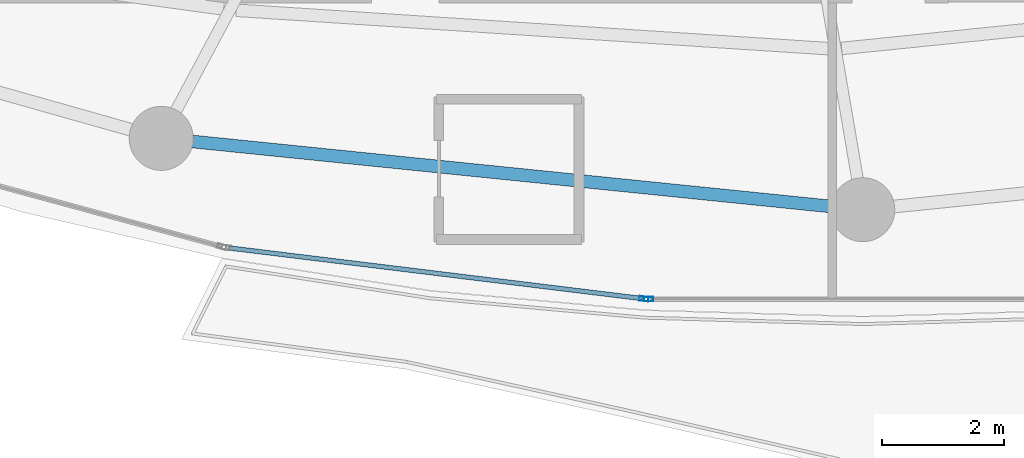
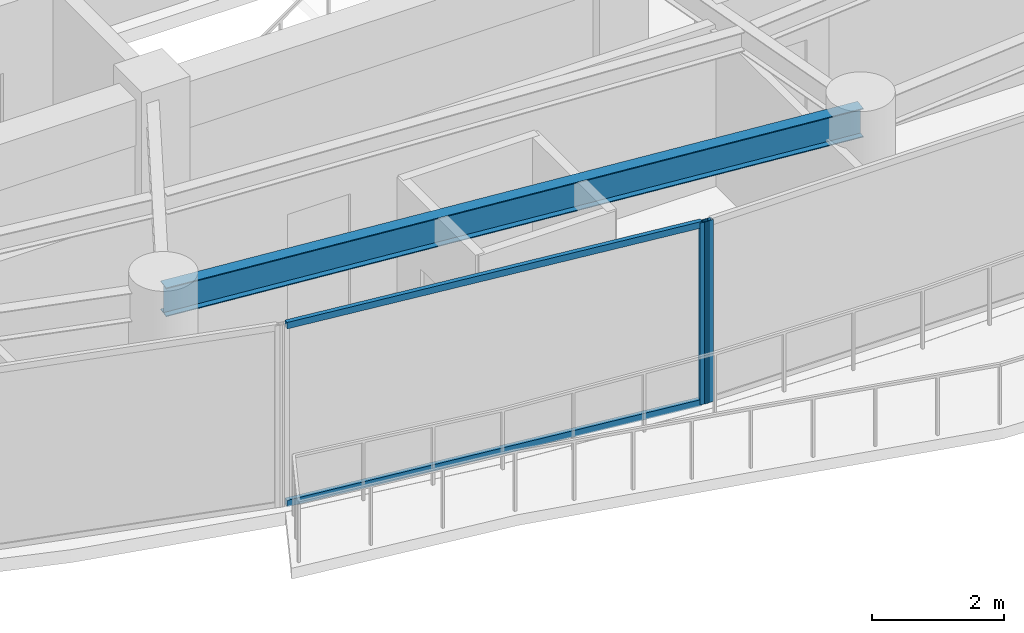
# One storey, part 6 of 31: 4 members, 1 beam, 2 elements without a shape of their own.
"""IFC4 building model written with IfcOpenShell, lengths in metres."""

import ifcopenshell
import ifcopenshell.guid

model = None  # the IFC model being written
_history = None  # IfcOwnerHistory: only IFC2X3 demands one
_inside = {}  # id of a spatial element -> (the spatial element, [elements in it])
_under = {}  # id of a project, library or spatial element -> (it, [spatial elements below it])
_declared = {}  # id of a project -> (the project, [libraries it declares])
_typed = {}  # id of a type object -> (the type object, [elements of that type])
_made_of = {}  # id of a material, layer set ... -> (it, [elements and type objects made of it])


def new_model(schema):
    """Start an empty IFC model of exactly this schema.

    Asked for "IFC4X3", IfcOpenShell would pick the latest addendum, in which some entities
    have other attributes; the version numbers below select the first issue.
    IFC2X3 requires an IfcOwnerHistory on every rooted entity: one is made here for all.
    """
    global model, _history
    if schema == "IFC4X3":
        model = ifcopenshell.file(schema_version=(4, 3, 0, 0))
    else:
        model = ifcopenshell.file(schema=schema)
    _inside.clear()
    _under.clear()
    _declared.clear()
    _typed.clear()
    _made_of.clear()
    _history = None
    if model.schema == "IFC2X3":
        org = make("IfcOrganization", Name="unknown")
        user = make(
            "IfcPersonAndOrganization",
            ThePerson=make("IfcPerson", FamilyName="unknown"),
            TheOrganization=org,
        )
        app = make(
            "IfcApplication",
            ApplicationDeveloper=org,
            Version="unknown",
            ApplicationFullName="unknown",
            ApplicationIdentifier="unknown",
        )
        _history = make(
            "IfcOwnerHistory",
            OwningUser=user,
            OwningApplication=app,
            ChangeAction="ADDED",
            CreationDate=0,
        )
    return model


def make(cls, **values):
    """One entity of the class cls with the attributes given. An attribute that is None is left unset."""
    return model.create_entity(
        cls, **{name: value for name, value in values.items() if value is not None}
    )


def rooted(cls, **values):
    """An entity with a GlobalId (a new one), such as an element, a storey or a relation."""
    return make(cls, GlobalId=ifcopenshell.guid.new(), OwnerHistory=_history, **values)


def si_unit(unit_type, name, prefix=None):
    """IfcSIUnit, for example si_unit("LENGTHUNIT", "METRE", prefix="MILLI")."""
    return make("IfcSIUnit", UnitType=unit_type, Prefix=prefix, Name=name)


def assignment(units):
    """IfcUnitAssignment: the units of a project."""
    return None if units is None else make("IfcUnitAssignment", Units=units)


def point(xyz):
    """IfcCartesianPoint."""
    return None if xyz is None else make("IfcCartesianPoint", Coordinates=xyz)


def direction(xyz):
    """IfcDirection."""
    return None if xyz is None else make("IfcDirection", DirectionRatios=xyz)


def frame(location, z_axis=None, x_axis=None):
    """IfcAxis2Placement3D, a coordinate frame: its origin and axes. An axis left out is left unset."""
    return make(
        "IfcAxis2Placement3D",
        Location=point(location),
        Axis=direction(z_axis),
        RefDirection=direction(x_axis),
    )


def frame_2d(location, x_axis=None):
    """IfcAxis2Placement2D, a coordinate frame in the plane: its origin and x axis."""
    return make(
        "IfcAxis2Placement2D", Location=point(location), RefDirection=direction(x_axis)
    )


def origin():
    """The frame at (0, 0, 0) with its axes left unset."""
    return frame((0.0, 0.0, 0.0))


def origin_2d():
    """The frame at (0, 0) in the plane with its x axis left unset."""
    return frame_2d((0.0, 0.0))


def place(relative_to, where):
    """IfcLocalPlacement: puts the frame where relative to a parent placement (None: the world)."""
    return make(
        "IfcLocalPlacement", PlacementRelTo=relative_to, RelativePlacement=where
    )


def context(
    kind, dimensions, precision=None, world=None, true_north=None, identifier=None
):
    """IfcGeometricRepresentationContext, for example the 3D "Model" context."""
    return make(
        "IfcGeometricRepresentationContext",
        ContextIdentifier=identifier,
        ContextType=kind,
        CoordinateSpaceDimension=dimensions,
        Precision=precision,
        WorldCoordinateSystem=world,
        TrueNorth=true_north,
    )


def subcontext(parent, identifier, kind, view, scale=None):
    """IfcGeometricRepresentationSubContext, for example "Body" below "Model"."""
    return make(
        "IfcGeometricRepresentationSubContext",
        ContextIdentifier=identifier,
        ContextType=kind,
        ParentContext=parent,
        TargetScale=scale,
        TargetView=view,
    )


def project(units=None, contexts=None):
    """IfcProject with its units and contexts."""
    return rooted(
        "IfcProject",
        Name="project",
        RepresentationContexts=contexts,
        UnitsInContext=assignment(units),
    )


def spatial(cls, under=None, at=None, **own):
    """A site, building, storey or space (cls), placed at a placement, below another one or the project."""
    s = rooted(cls, ObjectPlacement=at, **own)
    if under is not None:
        _under.setdefault(under.id(), (under, []))[1].append(s)
    return s


def profile(cls, at=None, kind="AREA", **sizes):
    """A parametric profile (cls). Its sizes go by their IFC names, for example OverallWidth=200.0."""
    return make(cls, ProfileType=kind, Position=at, **sizes)


def hollow_rectangle(**sizes):
    """IfcRectangleHollowProfileDef."""
    return profile("IfcRectangleHollowProfileDef", **sizes)


def i_section(**sizes):
    """IfcIShapeProfileDef."""
    return profile("IfcIShapeProfileDef", **sizes)


def extrude(swept, where, along, depth):
    """IfcExtrudedAreaSolid: the profile swept, set in the frame where, extruded along a direction by depth."""
    return make(
        "IfcExtrudedAreaSolid",
        SweptArea=swept,
        Position=where,
        ExtrudedDirection=direction(along),
        Depth=depth,
    )


def shape(context_of_items, identifier, shape_type, items):
    """IfcShapeRepresentation: the items that make up one representation, for example the "Body"."""
    return make(
        "IfcShapeRepresentation",
        ContextOfItems=context_of_items,
        RepresentationIdentifier=identifier,
        RepresentationType=shape_type,
        Items=items,
    )


def material(Name=None, Category=None):
    """IfcMaterial."""
    return make("IfcMaterial", Name=Name, Category=Category)


def layer(
    of_material, thickness, ventilated=None, Name=None, Category=None, Priority=None
):
    """IfcMaterialLayer: one layer of a wall or slab, of a material (None: an air gap)."""
    return make(
        "IfcMaterialLayer",
        Material=of_material,
        LayerThickness=thickness,
        IsVentilated=ventilated,
        Name=Name,
        Category=Category,
        Priority=Priority,
    )


def layer_set(layers, Name=None):
    """IfcMaterialLayerSet."""
    return make("IfcMaterialLayerSet", MaterialLayers=layers, LayerSetName=Name)


def material_profile(
    of_material, cross_section, Name=None, Category=None, Priority=None
):
    """IfcMaterialProfile: a cross section and its material."""
    return make(
        "IfcMaterialProfile",
        Name=Name,
        Material=of_material,
        Profile=cross_section,
        Priority=Priority,
        Category=Category,
    )


def profile_set(profiles, Name=None, composite=None):
    """IfcMaterialProfileSet."""
    return make(
        "IfcMaterialProfileSet",
        Name=Name,
        MaterialProfiles=profiles,
        CompositeProfile=composite,
    )


def made_of(thing, what):
    """Note that an element or type object is made of a material, layer set ...; save() writes the relation."""
    if what is not None:
        _made_of.setdefault(what.id(), (what, []))[1].append(thing)
    return thing


def type_object(cls, material=None, **own):
    """A type object (cls), such as IfcWallType, which elements share."""
    return made_of(rooted(cls, **own), material)


def element(
    cls,
    number,
    at=None,
    inside=None,
    cuts=None,
    type_object=None,
    material=None,
    context=None,
    identifier="Body",
    shape_type=None,
    held_by="IfcProductDefinitionShape",
    body=None,
    shapes=None,
    **own,
):
    """One element of the class cls, such as IfcWall. Its Tag is "e" and its number.

    at: its placement. inside: the storey or other place that contains it. cuts: it is an
    opening in that element (IfcRelVoidsElement). A single representation is given by context,
    identifier, shape_type and body (its items); several are given by shapes. held_by: the class
    of the entity that holds the representations. save() writes the other relations.
    """
    e = rooted(cls, Tag="e%d" % number, ObjectPlacement=at, **own)
    if body is not None:
        shapes = [shape(context, identifier, shape_type, body)]
    if shapes is not None:
        e.Representation = make(held_by, Representations=shapes)
    if inside is not None:
        _inside.setdefault(inside.id(), (inside, []))[1].append(e)
    if cuts is not None:
        rooted(
            "IfcRelVoidsElement", RelatingBuildingElement=cuts, RelatedOpeningElement=e
        )
    if type_object is not None:
        _typed.setdefault(type_object.id(), (type_object, []))[1].append(e)
    return made_of(e, material)


def aggregate(whole, parts):
    """IfcRelAggregates: a whole, such as a stair, and the parts it consists of."""
    return rooted("IfcRelAggregates", RelatingObject=whole, RelatedObjects=parts)


def save(model, path):
    """Write the relations noted so far, then the file.

    IfcRelAggregates (storeys below a building ...), IfcRelContainedInSpatialStructure (elements
    in a storey), IfcRelDefinesByType, IfcRelAssociatesMaterial and IfcRelDeclares: one each for
    every whole, place, type object, material and project.
    """
    for whole, parts in _under.values():
        aggregate(whole, parts)
    for where, things in _inside.values():
        rooted(
            "IfcRelContainedInSpatialStructure",
            RelatedElements=things,
            RelatingStructure=where,
        )
    for kind, things in _typed.values():
        rooted("IfcRelDefinesByType", RelatedObjects=things, RelatingType=kind)
    for what, things in _made_of.values():
        rooted("IfcRelAssociatesMaterial", RelatedObjects=things, RelatingMaterial=what)
    for by, libraries in _declared.values():
        rooted("IfcRelDeclares", RelatingContext=by, RelatedDefinitions=libraries)
    model.write(path)


model = new_model("IFC4")

# Units and contexts
model_context = context("Model", 3, precision=1e-05, world=origin(), true_north=direction((0.0, 1.0)))
body_context = subcontext(model_context, "Body", "Model", "MODEL_VIEW")
ifc_project = project(units=[si_unit("LENGTHUNIT", "METRE"), si_unit("AREAUNIT", "SQUARE_METRE"), si_unit("VOLUMEUNIT", "CUBIC_METRE"), si_unit("PLANEANGLEUNIT", "RADIAN"), si_unit("MASSUNIT", "GRAM", prefix="KILO")], contexts=[model_context])

# Site, building, storey
site_placement = place(None, origin())
site = spatial("IfcSite", under=ifc_project, at=site_placement, CompositionType="ELEMENT")
building_placement = place(site_placement, origin())
building = spatial("IfcBuilding", under=site, at=building_placement, Name="Kazevale Care Tower and Concert Hall", CompositionType="ELEMENT")
storey_placement = place(building_placement, frame((0.0, 0.0, 238.800048828125)))
storey = spatial("IfcBuildingStorey", under=building, at=storey_placement, Name="L63", CompositionType="ELEMENT", Elevation=238.800048828125)

# Curtain wall, member
ifc_material_1 = material(Name="Aluminium 6063-T6 and Low-E Glass", Category="aluminium")
ifc_layer = layer(ifc_material_1, 0.179931640625)
ifc_layer_set = layer_set([ifc_layer], Name="Aluminium 6063-T6 and Low-E Glass")
curtain_wall_type = type_object("IfcCurtainWallType", Name="Sheltered Concave Balcony Curtain Wall CW-5", PredefinedType="NOTDEFINED", material=ifc_layer_set)
curtain_wall_1_placement = place(storey_placement, origin())
curtain_wall_1 = element("IfcCurtainWall", 1, at=curtain_wall_1_placement, inside=storey, type_object=curtain_wall_type, Name="cw:L63:f06", PredefinedType="NOTDEFINED")
ifc_material_2 = material(Name="Aluminium 6063-T6", Category="aluminium")
ifc_material_profile_1 = material_profile(ifc_material_2, hollow_rectangle(XDim=0.074951171875, YDim=0.14990234375, WallThickness=0.00390625, at=origin_2d()), Name="ALU75x150x4")
ifc_profile_set_1 = profile_set([ifc_material_profile_1], Name="Aluminium 6063-T6")
member_type_1 = type_object("IfcMemberType", Name="CW-5 Mullion ALU75x150x4", PredefinedType="MULLION", material=ifc_profile_set_1)
member_1_placement = place(storey_placement, frame((41.487548828125, 16.284912109375, 0.0), z_axis=(0.0, 0.0, 1.0), x_axis=(0.0, -1.0, 0.0)))
member_1 = element("IfcMember", 2, at=member_1_placement, type_object=member_type_1, Name="CW-5 mullion 2", PredefinedType="MULLION", context=body_context, shape_type="SweptSolid", body=[
    extrude(hollow_rectangle(XDim=0.074951171875, YDim=0.14990234375, WallThickness=0.00390625, at=origin_2d()), origin(), (0.0, 0.0, 1.0), 3.35986328125),
])
aggregate(curtain_wall_1, [member_1])

# Curtain wall, members
curtain_wall_2_placement = place(storey_placement, origin())
curtain_wall_2 = element("IfcCurtainWall", 3, at=curtain_wall_2_placement, inside=storey, type_object=curtain_wall_type, Name="cw:L63:f07", PredefinedType="NOTDEFINED")
member_2_placement = place(storey_placement, frame((41.412841796875, 16.28955078125, 0.0), z_axis=(0.0, 0.0, 1.0), x_axis=(-0.121650797964, -0.992572961225, 0.0)))
member_2 = element("IfcMember", 4, at=member_2_placement, type_object=member_type_1, Name="CW-5 mullion 1", PredefinedType="MULLION", context=body_context, shape_type="SweptSolid", body=[
    extrude(hollow_rectangle(XDim=0.074951171875, YDim=0.14990234375, WallThickness=0.00390625, at=origin_2d()), origin(), (0.0, 0.0, 1.0), 3.35986328125),
])
ifc_material_profile_2 = material_profile(ifc_material_2, hollow_rectangle(XDim=0.074951171875, YDim=0.1201171875, WallThickness=0.00390625, at=origin_2d()), Name="ALU75x120x4")
ifc_profile_set_2 = profile_set([ifc_material_profile_2], Name="Aluminium 6063-T6")
member_type_2 = type_object("IfcMemberType", Name="CW-5 Transom ALU75x120x4", PredefinedType="USERDEFINED", material=ifc_profile_set_2)
member_3_placement = place(storey_placement, frame((41.37548828125, 16.294189453125, 0.037353515625), z_axis=(-0.992575633306, 0.121628993941, 0.0), x_axis=(-0.121628993941, -0.992575633306, 0.0)))
member_3 = element("IfcMember", 5, at=member_3_placement, type_object=member_type_2, Name="CW-5 transom 1.1", ObjectType="TRANSOM", PredefinedType="USERDEFINED", context=body_context, shape_type="SweptSolid", body=[
    extrude(hollow_rectangle(XDim=0.074951171875, YDim=0.1201171875, WallThickness=0.00390625, at=origin_2d()), origin(), (0.0, 0.0, 1.0), 6.820556640625),
])
member_4_placement = place(storey_placement, frame((41.37548828125, 16.294189453125, 3.322509765625), z_axis=(-0.992575633306, 0.121628993941, 0.0), x_axis=(-0.121628993941, -0.992575633306, 0.0)))
member_4 = element("IfcMember", 6, at=member_4_placement, type_object=member_type_2, Name="CW-5 transom 1.2", ObjectType="TRANSOM", PredefinedType="USERDEFINED", context=body_context, shape_type="SweptSolid", body=[
    extrude(hollow_rectangle(XDim=0.074951171875, YDim=0.1201171875, WallThickness=0.00390625, at=origin_2d()), origin(), (0.0, 0.0, 1.0), 6.820556640625),
])
aggregate(curtain_wall_2, [member_2, member_3, member_4])

# Beam
ifc_material_3 = material(Name="Steel ASTM A572 Gr 50", Category="steel")
ifc_material_profile_3 = material_profile(ifc_material_3, i_section(OverallWidth=0.208984375, OverallDepth=0.532958984375, WebThickness=0.01025390625, FlangeThickness=0.015625, at=origin_2d()), Name="W530x92")
ifc_profile_set_3 = profile_set([ifc_material_profile_3], Name="Steel ASTM A572 Gr 50")
beam_type = type_object("IfcBeamType", Name="Upper Ring Beam W530x92", PredefinedType="BEAM", material=ifc_profile_set_3)
beam_placement = place(storey_placement, frame((33.5, 18.919921875, 3.093505859375), z_axis=(0.994865089307, -0.101209950492, 0.0), x_axis=(0.101209950492, 0.994865089307, 0.0)))
element("IfcBeam", 7, at=beam_placement, inside=storey, type_object=beam_type, Name="beam:L63:ring:12", PredefinedType="BEAM", context=body_context, shape_type="SweptSolid", body=[
    extrude(i_section(OverallWidth=0.208984375, OverallDepth=0.532958984375, WebThickness=0.01025390625, FlangeThickness=0.015625, at=origin_2d()), origin(), (0.0, 0.0, 1.0), 11.559326171875),
])

save(model, "model.ifc")
